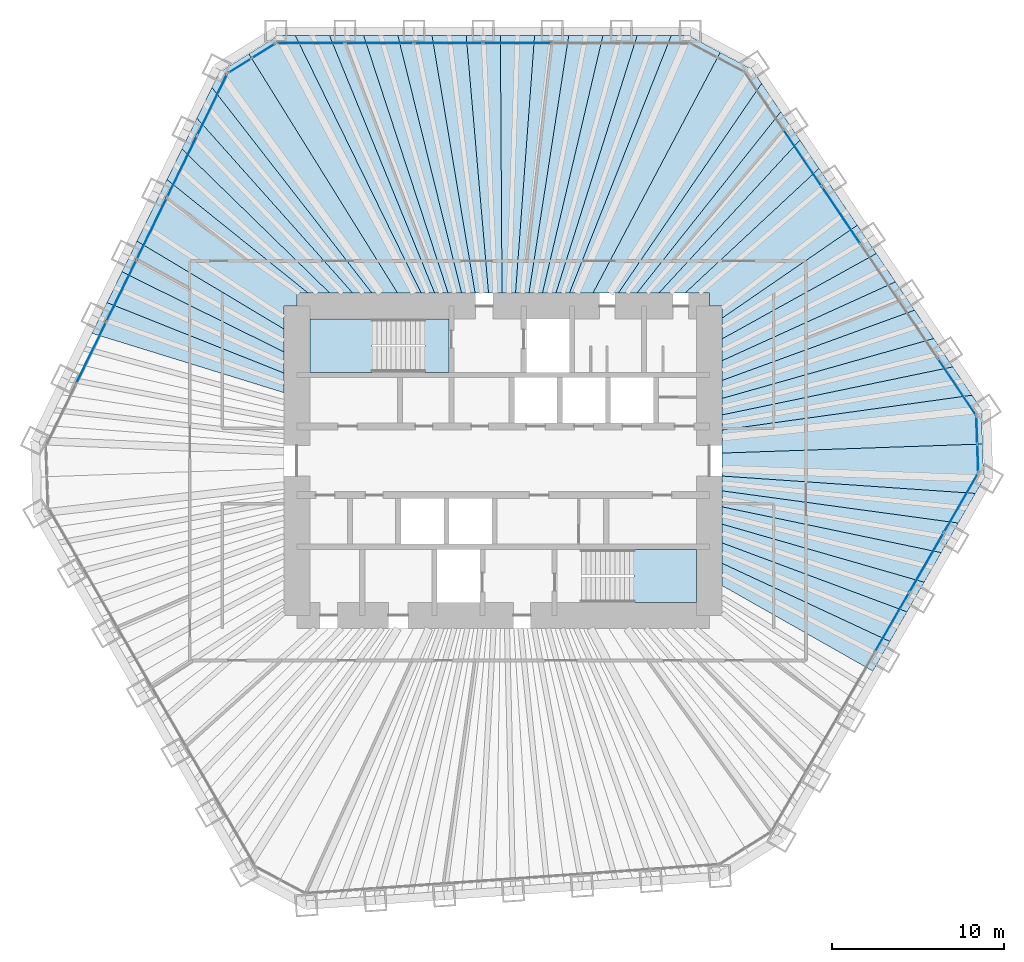
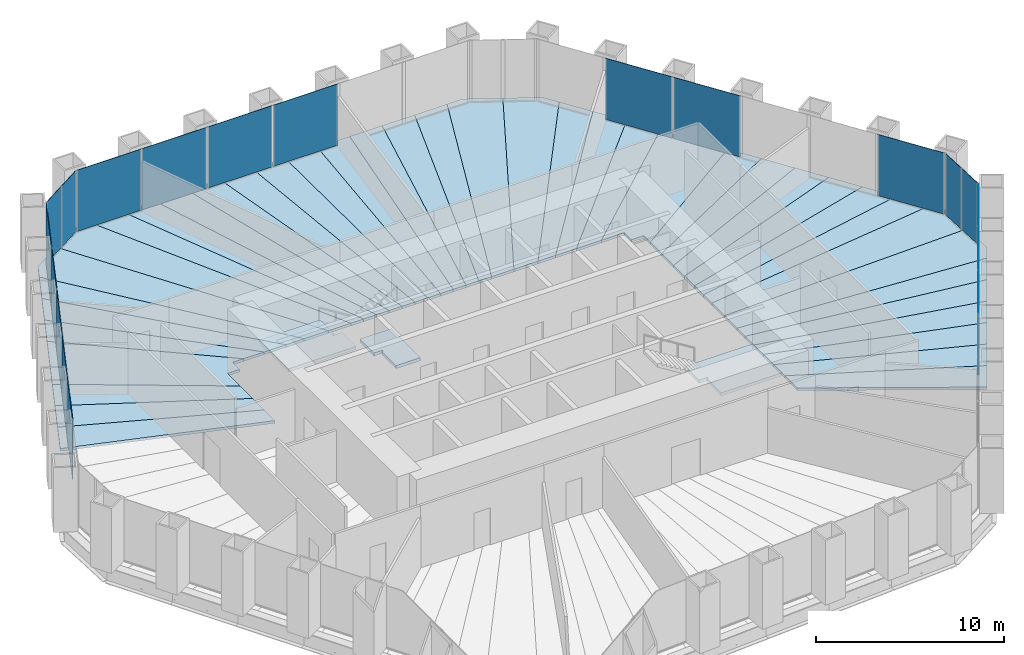
# One storey, part 9 of 13: 43 slabs, 19 plates, 8 elements without a shape of their own.
"""IFC4 building model written with IfcOpenShell, lengths in metres."""

from ifc_helpers import new_model, si_unit, direction, frame, origin, origin_2d, place, context, subcontext, project, spatial, polyline, rectangle, outline, extrude, material, layer, layer_set, type_object, element, aggregate, save


model = new_model("IFC4")

# Units and contexts
model_context = context("Model", 3, precision=1e-05, world=origin(), true_north=direction((0.0, 1.0)))
body_context = subcontext(model_context, "Body", "Model", "MODEL_VIEW")
ifc_project = project(units=[si_unit("LENGTHUNIT", "METRE"), si_unit("AREAUNIT", "SQUARE_METRE"), si_unit("VOLUMEUNIT", "CUBIC_METRE"), si_unit("PLANEANGLEUNIT", "RADIAN"), si_unit("MASSUNIT", "GRAM", prefix="KILO")], contexts=[model_context])

# Site, building, storey
site_placement = place(None, origin())
site = spatial("IfcSite", under=ifc_project, at=site_placement, CompositionType="ELEMENT")
building_placement = place(site_placement, origin())
building = spatial("IfcBuilding", under=site, at=building_placement, Name="Qingtian Harvest Tower", CompositionType="ELEMENT")
storey_placement = place(building_placement, frame((0.0, 0.0, 161.800048828125)))
storey = spatial("IfcBuildingStorey", under=building, at=storey_placement, Name="L34", CompositionType="ELEMENT", Elevation=161.800048828125)

# Slabs
ifc_material_1 = material(Name="Concrete fc' 35 MPa", Category="concrete")
ifc_layer_1 = layer(ifc_material_1, 0.169921875)
ifc_layer_set_1 = layer_set([ifc_layer_1], Name="Composite floor slab FS17 170")
slab_type_1 = type_object("IfcSlabType", Name="Composite floor slab FS17 170", PredefinedType="FLOOR", material=ifc_layer_set_1)
slab_1_placement = place(storey_placement, frame((0.0, 0.0, -0.170166015625)))
element("IfcSlab", 1, at=slab_1_placement, inside=storey, type_object=slab_type_1, Name="Floor slab L34 panel D33", PredefinedType="FLOOR", context=body_context, shape_type="SweptSolid", body=[
    extrude(outline(polyline([(12.75, -5.97021484375), (22.51220703125, -10.517578125), (21.517333984375, -12.24072265625), (12.75, -7.268798828125), (12.75, -5.97021484375)])), origin(), (0.0, 0.0, 1.0), 0.170166015625),
])
slab_2_placement = place(storey_placement, frame((0.0, 0.0, -0.170166015625)))
element("IfcSlab", 2, at=slab_2_placement, inside=storey, type_object=slab_type_1, Name="Floor slab L34 panel D34", PredefinedType="FLOOR", context=body_context, shape_type="SweptSolid", body=[
    extrude(outline(polyline([(12.75, -4.78173828125), (23.50732421875, -8.794189453125), (22.51220703125, -10.517578125), (12.75, -5.97021484375), (12.75, -4.78173828125)])), origin(), (0.0, 0.0, 1.0), 0.170166015625),
])
slab_3_placement = place(storey_placement, frame((0.0, 0.0, -0.170166015625)))
element("IfcSlab", 3, at=slab_3_placement, inside=storey, type_object=slab_type_1, Name="Floor slab L34 panel D35", PredefinedType="FLOOR", context=body_context, shape_type="SweptSolid", body=[
    extrude(outline(polyline([(12.75, -3.68994140625), (24.502197265625, -7.071044921875), (23.50732421875, -8.794189453125), (12.75, -4.78173828125), (12.75, -3.68994140625)])), origin(), (0.0, 0.0, 1.0), 0.170166015625),
])
slab_4_placement = place(storey_placement, frame((0.0, 0.0, -0.170166015625)))
element("IfcSlab", 4, at=slab_4_placement, inside=storey, type_object=slab_type_1, Name="Floor slab L34 panel D36", PredefinedType="FLOOR", context=body_context, shape_type="SweptSolid", body=[
    extrude(outline(polyline([(12.75, -2.683349609375), (25.4970703125, -5.34765625), (24.502197265625, -7.071044921875), (12.75, -3.68994140625), (12.75, -2.683349609375)])), origin(), (0.0, 0.0, 1.0), 0.170166015625),
])
slab_5_placement = place(storey_placement, frame((0.0, 0.0, -0.170166015625)))
element("IfcSlab", 5, at=slab_5_placement, inside=storey, type_object=slab_type_1, Name="Floor slab L34 panel D37", PredefinedType="FLOOR", context=body_context, shape_type="SweptSolid", body=[
    extrude(outline(polyline([(12.75, -1.752685546875), (26.4921875, -3.624267578125), (25.4970703125, -5.34765625), (12.75, -2.683349609375), (12.75, -1.752685546875)])), origin(), (0.0, 0.0, 1.0), 0.170166015625),
])
slab_6_placement = place(storey_placement, frame((0.0, 0.0, -0.170166015625)))
element("IfcSlab", 6, at=slab_6_placement, inside=storey, type_object=slab_type_1, Name="Floor slab L34 panel D38", PredefinedType="FLOOR", context=body_context, shape_type="SweptSolid", body=[
    extrude(outline(polyline([(12.75, -0.889404296875), (27.487060546875, -1.901123046875), (26.4921875, -3.624267578125), (12.75, -1.752685546875), (12.75, -0.889404296875)])), origin(), (0.0, 0.0, 1.0), 0.170166015625),
])
slab_7_placement = place(storey_placement, frame((0.0, 0.0, -0.170166015625)))
element("IfcSlab", 7, at=slab_7_placement, inside=storey, type_object=slab_type_1, Name="Floor slab L34 panel D39", PredefinedType="FLOOR", context=body_context, shape_type="SweptSolid", body=[
    extrude(outline(polyline([(12.75, -0.889404296875), (12.75, 0.447509765625), (27.90185546875, 0.974365234375), (27.972900390625, -1.059814453125), (27.487060546875, -1.901123046875), (12.75, -0.889404296875)])), origin(), (0.0, 0.0, 1.0), 0.170166015625),
])
slab_8_placement = place(storey_placement, frame((0.0, 0.0, -0.170166015625)))
element("IfcSlab", 8, at=slab_8_placement, inside=storey, type_object=slab_type_1, Name="Floor slab L34 panel D40", PredefinedType="FLOOR", context=body_context, shape_type="SweptSolid", body=[
    extrude(outline(polyline([(12.75, 0.447509765625), (12.75, 1.79052734375), (27.287353515625, 3.81396484375), (27.830810546875, 3.008544921875), (27.90185546875, 0.974365234375), (12.75, 0.447509765625)])), origin(), (0.0, 0.0, 1.0), 0.170166015625),
])
slab_9_placement = place(storey_placement, frame((0.0, 0.0, -0.170166015625)))
element("IfcSlab", 9, at=slab_9_placement, inside=storey, type_object=slab_type_1, Name="Floor slab L34 panel D41", PredefinedType="FLOOR", context=body_context, shape_type="SweptSolid", body=[
    extrude(outline(polyline([(12.75, 2.671142578125), (26.1748046875, 5.463623046875), (27.287353515625, 3.81396484375), (12.75, 1.79052734375), (12.75, 2.671142578125)])), origin(), (0.0, 0.0, 1.0), 0.170166015625),
])
slab_10_placement = place(storey_placement, frame((0.0, 0.0, -0.170166015625)))
element("IfcSlab", 10, at=slab_10_placement, inside=storey, type_object=slab_type_1, Name="Floor slab L34 panel D42", PredefinedType="FLOOR", context=body_context, shape_type="SweptSolid", body=[
    extrude(outline(polyline([(12.75, 3.6298828125), (25.06201171875, 7.11328125), (26.1748046875, 5.463623046875), (12.75, 2.671142578125), (12.75, 3.6298828125)])), origin(), (0.0, 0.0, 1.0), 0.170166015625),
])
slab_11_placement = place(storey_placement, frame((0.0, 0.0, -0.170166015625)))
element("IfcSlab", 11, at=slab_11_placement, inside=storey, type_object=slab_type_1, Name="Floor slab L34 panel D43", PredefinedType="FLOOR", context=body_context, shape_type="SweptSolid", body=[
    extrude(outline(polyline([(12.75, 4.677734375), (23.94921875, 8.762939453125), (25.06201171875, 7.11328125), (12.75, 3.6298828125), (12.75, 4.677734375)])), origin(), (0.0, 0.0, 1.0), 0.170166015625),
])
slab_12_placement = place(storey_placement, frame((0.0, 0.0, -0.170166015625)))
element("IfcSlab", 12, at=slab_12_placement, inside=storey, type_object=slab_type_1, Name="Floor slab L34 panel D44", PredefinedType="FLOOR", context=body_context, shape_type="SweptSolid", body=[
    extrude(outline(polyline([(12.75, 5.828125), (22.83642578125, 10.41259765625), (23.94921875, 8.762939453125), (12.75, 4.677734375), (12.75, 5.828125)])), origin(), (0.0, 0.0, 1.0), 0.170166015625),
])
slab_13_placement = place(storey_placement, frame((0.0, 0.0, -0.170166015625)))
element("IfcSlab", 13, at=slab_13_placement, inside=storey, type_object=slab_type_1, Name="Floor slab L34 panel D45", PredefinedType="FLOOR", context=body_context, shape_type="SweptSolid", body=[
    extrude(outline(polyline([(12.75, 7.096435546875), (21.723876953125, 12.062255859375), (22.83642578125, 10.41259765625), (12.75, 5.828125), (12.75, 7.096435546875)])), origin(), (0.0, 0.0, 1.0), 0.170166015625),
])
slab_14_placement = place(storey_placement, frame((0.0, 0.0, -0.170166015625)))
element("IfcSlab", 14, at=slab_14_placement, inside=storey, type_object=slab_type_1, Name="Floor slab L34 panel D46", PredefinedType="FLOOR", context=body_context, shape_type="SweptSolid", body=[
    extrude(outline(polyline([(12.75, 8.30615234375), (20.61328125, 13.708740234375), (21.723876953125, 12.062255859375), (12.75, 7.096435546875), (12.75, 8.30615234375)])), origin(), (0.0, 0.0, 1.0), 0.170166015625),
])
slab_15_placement = place(storey_placement, frame((0.0, 0.0, -0.170166015625)))
element("IfcSlab", 15, at=slab_15_placement, inside=storey, type_object=slab_type_1, Name="Floor slab L34 panel D48", PredefinedType="FLOOR", context=body_context, shape_type="SweptSolid", body=[
    extrude(outline(polyline([(18.38623046875, 17.010498046875), (20.61328125, 13.708740234375), (12.75, 8.30615234375), (12.75, 9.0), (12.0, 9.0), (12.0, 9.75), (10.578369140625, 9.75), (18.38623046875, 17.010498046875)])), origin(), (0.0, 0.0, 1.0), 0.170166015625),
])
slab_16_placement = place(storey_placement, frame((0.0, 0.0, -0.170166015625)))
element("IfcSlab", 16, at=slab_16_placement, inside=storey, type_object=slab_type_1, Name="Floor slab L34 panel D49", PredefinedType="FLOOR", context=body_context, shape_type="SweptSolid", body=[
    extrude(outline(polyline([(9.0556640625, 9.75), (17.2734375, 18.66015625), (18.38623046875, 17.010498046875), (10.578369140625, 9.75), (9.0556640625, 9.75)])), origin(), (0.0, 0.0, 1.0), 0.170166015625),
])
slab_17_placement = place(storey_placement, frame((0.0, 0.0, -0.170166015625)))
element("IfcSlab", 17, at=slab_17_placement, inside=storey, type_object=slab_type_1, Name="Floor slab L34 panel D50", PredefinedType="FLOOR", context=body_context, shape_type="SweptSolid", body=[
    extrude(outline(polyline([(7.781494140625, 9.75), (16.16064453125, 20.31005859375), (17.2734375, 18.66015625), (9.0556640625, 9.75), (7.781494140625, 9.75)])), origin(), (0.0, 0.0, 1.0), 0.170166015625),
])
slab_18_placement = place(storey_placement, frame((0.0, 0.0, -0.170166015625)))
element("IfcSlab", 18, at=slab_18_placement, inside=storey, type_object=slab_type_1, Name="Floor slab L34 panel D51", PredefinedType="FLOOR", context=body_context, shape_type="SweptSolid", body=[
    extrude(outline(polyline([(6.69970703125, 9.75), (15.0478515625, 21.959716796875), (16.16064453125, 20.31005859375), (7.781494140625, 9.75), (6.69970703125, 9.75)])), origin(), (0.0, 0.0, 1.0), 0.170166015625),
])
slab_19_placement = place(storey_placement, frame((0.0, 0.0, -0.170166015625)))
element("IfcSlab", 19, at=slab_19_placement, inside=storey, type_object=slab_type_1, Name="Floor slab L34 panel D52", PredefinedType="FLOOR", context=body_context, shape_type="SweptSolid", body=[
    extrude(outline(polyline([(6.69970703125, 9.75), (5.224609375, 9.75), (12.634033203125, 23.759765625), (14.504638671875, 22.765380859375), (15.0478515625, 21.959716796875), (6.69970703125, 9.75)])), origin(), (0.0, 0.0, 1.0), 0.170166015625),
])
slab_20_placement = place(storey_placement, frame((0.0, 0.0, -0.170166015625)))
element("IfcSlab", 20, at=slab_20_placement, inside=storey, type_object=slab_type_1, Name="Floor slab L34 panel D53", PredefinedType="FLOOR", context=body_context, shape_type="SweptSolid", body=[
    extrude(outline(polyline([(3.856201171875, 9.75), (9.791015625, 24.7548828125), (10.762451171875, 24.7548828125), (12.634033203125, 23.759765625), (5.224609375, 9.75), (3.856201171875, 9.75)])), origin(), (0.0, 0.0, 1.0), 0.170166015625),
])
slab_21_placement = place(storey_placement, frame((0.0, 0.0, -0.170166015625)))
element("IfcSlab", 21, at=slab_21_placement, inside=storey, type_object=slab_type_1, Name="Floor slab L34 panel D54", PredefinedType="FLOOR", context=body_context, shape_type="SweptSolid", body=[
    extrude(outline(polyline([(3.072509765625, 9.75), (7.80126953125, 24.7548828125), (9.791015625, 24.7548828125), (3.856201171875, 9.75), (3.072509765625, 9.75)])), origin(), (0.0, 0.0, 1.0), 0.170166015625),
])
slab_22_placement = place(storey_placement, frame((0.0, 0.0, -0.170166015625)))
element("IfcSlab", 22, at=slab_22_placement, inside=storey, type_object=slab_type_1, Name="Floor slab L34 panel D55", PredefinedType="FLOOR", context=body_context, shape_type="SweptSolid", body=[
    extrude(outline(polyline([(2.288818359375, 9.75), (5.811279296875, 24.7548828125), (7.80126953125, 24.7548828125), (3.072509765625, 9.75), (2.288818359375, 9.75)])), origin(), (0.0, 0.0, 1.0), 0.170166015625),
])
slab_23_placement = place(storey_placement, frame((0.0, 0.0, -0.170166015625)))
element("IfcSlab", 23, at=slab_23_placement, inside=storey, type_object=slab_type_1, Name="Floor slab L34 panel D56", PredefinedType="FLOOR", context=body_context, shape_type="SweptSolid", body=[
    extrude(outline(polyline([(1.505126953125, 9.75), (3.821533203125, 24.7548828125), (5.811279296875, 24.7548828125), (2.288818359375, 9.75), (1.505126953125, 9.75)])), origin(), (0.0, 0.0, 1.0), 0.170166015625),
])
slab_24_placement = place(storey_placement, frame((0.0, 0.0, -0.170166015625)))
element("IfcSlab", 24, at=slab_24_placement, inside=storey, type_object=slab_type_1, Name="Floor slab L34 panel D57", PredefinedType="FLOOR", context=body_context, shape_type="SweptSolid", body=[
    extrude(outline(polyline([(0.721435546875, 9.75), (1.831787109375, 24.7548828125), (3.821533203125, 24.7548828125), (1.505126953125, 9.75), (0.721435546875, 9.75)])), origin(), (0.0, 0.0, 1.0), 0.170166015625),
])
slab_25_placement = place(storey_placement, frame((0.0, 0.0, -0.170166015625)))
element("IfcSlab", 25, at=slab_25_placement, inside=storey, type_object=slab_type_1, Name="Floor slab L34 panel D58", PredefinedType="FLOOR", context=body_context, shape_type="SweptSolid", body=[
    extrude(outline(polyline([(-0.062255859375, 9.75), (-0.158203125, 24.7548828125), (1.831787109375, 24.7548828125), (0.721435546875, 9.75), (-0.062255859375, 9.75)])), origin(), (0.0, 0.0, 1.0), 0.170166015625),
])
slab_26_placement = place(storey_placement, frame((0.0, 0.0, -0.170166015625)))
element("IfcSlab", 26, at=slab_26_placement, inside=storey, type_object=slab_type_1, Name="Floor slab L34 panel D59", PredefinedType="FLOOR", context=body_context, shape_type="SweptSolid", body=[
    extrude(outline(polyline([(-0.845947265625, 9.75), (-2.14794921875, 24.7548828125), (-0.158203125, 24.7548828125), (-0.062255859375, 9.75), (-0.845947265625, 9.75)])), origin(), (0.0, 0.0, 1.0), 0.170166015625),
])
slab_27_placement = place(storey_placement, frame((0.0, 0.0, -0.170166015625)))
element("IfcSlab", 27, at=slab_27_placement, inside=storey, type_object=slab_type_1, Name="Floor slab L34 panel D60", PredefinedType="FLOOR", context=body_context, shape_type="SweptSolid", body=[
    extrude(outline(polyline([(-1.629638671875, 9.75), (-4.137939453125, 24.7548828125), (-2.14794921875, 24.7548828125), (-0.845947265625, 9.75), (-1.629638671875, 9.75)])), origin(), (0.0, 0.0, 1.0), 0.170166015625),
])
slab_28_placement = place(storey_placement, frame((0.0, 0.0, -0.170166015625)))
element("IfcSlab", 28, at=slab_28_placement, inside=storey, type_object=slab_type_1, Name="Floor slab L34 panel D61", PredefinedType="FLOOR", context=body_context, shape_type="SweptSolid", body=[
    extrude(outline(polyline([(-2.41357421875, 9.75), (-6.127685546875, 24.7548828125), (-4.137939453125, 24.7548828125), (-1.629638671875, 9.75), (-2.41357421875, 9.75)])), origin(), (0.0, 0.0, 1.0), 0.170166015625),
])
slab_29_placement = place(storey_placement, frame((0.0, 0.0, -0.170166015625)))
element("IfcSlab", 29, at=slab_29_placement, inside=storey, type_object=slab_type_1, Name="Floor slab L34 panel D62", PredefinedType="FLOOR", context=body_context, shape_type="SweptSolid", body=[
    extrude(outline(polyline([(-3.197265625, 9.75), (-8.117431640625, 24.7548828125), (-6.127685546875, 24.7548828125), (-2.41357421875, 9.75), (-3.197265625, 9.75)])), origin(), (0.0, 0.0, 1.0), 0.170166015625),
])
slab_30_placement = place(storey_placement, frame((0.0, 0.0, -0.170166015625)))
element("IfcSlab", 30, at=slab_30_placement, inside=storey, type_object=slab_type_1, Name="Floor slab L34 panel D63", PredefinedType="FLOOR", context=body_context, shape_type="SweptSolid", body=[
    extrude(outline(polyline([(-3.98095703125, 9.75), (-10.107421875, 24.7548828125), (-8.117431640625, 24.7548828125), (-3.197265625, 9.75), (-3.98095703125, 9.75)])), origin(), (0.0, 0.0, 1.0), 0.170166015625),
])
slab_31_placement = place(storey_placement, frame((0.0, 0.0, -0.170166015625)))
element("IfcSlab", 31, at=slab_31_placement, inside=storey, type_object=slab_type_1, Name="Floor slab L34 panel D64", PredefinedType="FLOOR", context=body_context, shape_type="SweptSolid", body=[
    extrude(outline(polyline([(-4.7646484375, 9.75), (-12.09716796875, 24.7548828125), (-10.107421875, 24.7548828125), (-3.98095703125, 9.75), (-4.7646484375, 9.75)])), origin(), (0.0, 0.0, 1.0), 0.170166015625),
])
slab_32_placement = place(storey_placement, frame((0.0, 0.0, -0.170166015625)))
element("IfcSlab", 32, at=slab_32_placement, inside=storey, type_object=slab_type_1, Name="Floor slab L34 panel D65", PredefinedType="FLOOR", context=body_context, shape_type="SweptSolid", body=[
    extrude(outline(polyline([(-4.7646484375, 9.75), (-6.13671875, 9.75), (-14.795166015625, 23.676025390625), (-13.068603515625, 24.7548828125), (-12.09716796875, 24.7548828125), (-4.7646484375, 9.75)])), origin(), (0.0, 0.0, 1.0), 0.170166015625),
])
slab_33_placement = place(storey_placement, frame((0.0, 0.0, -0.170166015625)))
element("IfcSlab", 33, at=slab_33_placement, inside=storey, type_object=slab_type_1, Name="Floor slab L34 panel D66", PredefinedType="FLOOR", context=body_context, shape_type="SweptSolid", body=[
    extrude(outline(polyline([(-6.13671875, 9.75), (-7.62646484375, 9.75), (-16.94677734375, 21.724609375), (-16.520751953125, 22.597900390625), (-14.795166015625, 23.676025390625), (-6.13671875, 9.75)])), origin(), (0.0, 0.0, 1.0), 0.170166015625),
])
slab_34_placement = place(storey_placement, frame((0.0, 0.0, -0.170166015625)))
element("IfcSlab", 34, at=slab_34_placement, inside=storey, type_object=slab_type_1, Name="Floor slab L34 panel D67", PredefinedType="FLOOR", context=body_context, shape_type="SweptSolid", body=[
    extrude(outline(polyline([(-8.74169921875, 9.75), (-17.819091796875, 19.93603515625), (-16.94677734375, 21.724609375), (-7.62646484375, 9.75), (-8.74169921875, 9.75)])), origin(), (0.0, 0.0, 1.0), 0.170166015625),
])
slab_35_placement = place(storey_placement, frame((0.0, 0.0, -0.170166015625)))
element("IfcSlab", 35, at=slab_35_placement, inside=storey, type_object=slab_type_1, Name="Floor slab L34 panel D68", PredefinedType="FLOOR", context=body_context, shape_type="SweptSolid", body=[
    extrude(outline(polyline([(-10.077880859375, 9.75), (-18.69140625, 18.1474609375), (-17.819091796875, 19.93603515625), (-8.74169921875, 9.75), (-10.077880859375, 9.75)])), origin(), (0.0, 0.0, 1.0), 0.170166015625),
])
slab_36_placement = place(storey_placement, frame((0.0, 0.0, -0.170166015625)))
element("IfcSlab", 36, at=slab_36_placement, inside=storey, type_object=slab_type_1, Name="Floor slab L34 panel D69", PredefinedType="FLOOR", context=body_context, shape_type="SweptSolid", body=[
    extrude(outline(polyline([(-11.329345703125, 9.75), (-19.561279296875, 16.364013671875), (-18.69140625, 18.1474609375), (-10.077880859375, 9.75), (-11.329345703125, 9.75)])), origin(), (0.0, 0.0, 1.0), 0.170166015625),
])
slab_37_placement = place(storey_placement, frame((0.0, 0.0, -0.170166015625)))
element("IfcSlab", 37, at=slab_37_placement, inside=storey, type_object=slab_type_1, Name="Floor slab L34 panel D70", PredefinedType="FLOOR", context=body_context, shape_type="SweptSolid", body=[
    extrude(outline(polyline([(-12.0, 9.0), (-12.75, 9.0), (-12.75, 7.662841796875), (-21.307861328125, 12.78271484375), (-19.561279296875, 16.364013671875), (-11.329345703125, 9.75), (-12.0, 9.75), (-12.0, 9.0)])), origin(), (0.0, 0.0, 1.0), 0.170166015625),
])
slab_38_placement = place(storey_placement, frame((0.0, 0.0, -0.170166015625)))
element("IfcSlab", 38, at=slab_38_placement, inside=storey, type_object=slab_type_1, Name="Floor slab L34 panel D72", PredefinedType="FLOOR", context=body_context, shape_type="SweptSolid", body=[
    extrude(outline(polyline([(-12.75, 6.332275390625), (-22.18017578125, 10.994384765625), (-21.307861328125, 12.78271484375), (-12.75, 7.662841796875), (-12.75, 6.332275390625)])), origin(), (0.0, 0.0, 1.0), 0.170166015625),
])
slab_39_placement = place(storey_placement, frame((0.0, 0.0, -0.170166015625)))
element("IfcSlab", 39, at=slab_39_placement, inside=storey, type_object=slab_type_1, Name="Floor slab L34 panel D73", PredefinedType="FLOOR", context=body_context, shape_type="SweptSolid", body=[
    extrude(outline(polyline([(-12.75, 5.1025390625), (-23.052490234375, 9.205810546875), (-22.18017578125, 10.994384765625), (-12.75, 6.332275390625), (-12.75, 5.1025390625)])), origin(), (0.0, 0.0, 1.0), 0.170166015625),
])
slab_40_placement = place(storey_placement, frame((0.0, 0.0, -0.170166015625)))
element("IfcSlab", 40, at=slab_40_placement, inside=storey, type_object=slab_type_1, Name="Floor slab L34 panel D74", PredefinedType="FLOOR", context=body_context, shape_type="SweptSolid", body=[
    extrude(outline(polyline([(-12.75, 3.962646484375), (-23.9248046875, 7.417236328125), (-23.052490234375, 9.205810546875), (-12.75, 5.1025390625), (-12.75, 3.962646484375)])), origin(), (0.0, 0.0, 1.0), 0.170166015625),
])

# Curtain wall, plates
ifc_material_2 = material(Name="Bronze-anodised aluminium curtain wall", Category="aluminium")
curtain_wall_type = type_object("IfcCurtainWallType", Name="Curtain wall CW4 office", PredefinedType="USERDEFINED", material=ifc_material_2)
curtain_wall_1_placement = place(storey_placement, origin())
curtain_wall_1 = element("IfcCurtainWall", 41, at=curtain_wall_1_placement, inside=storey, type_object=curtain_wall_type, Name="Curtain wall CW4 L34 N0-5", ObjectType="RECESSED CURTAIN WALL", PredefinedType="USERDEFINED")
ifc_material_3 = material(Name="Bronze-tinted laminated insulating glass", Category="glass")
ifc_layer_2 = layer(ifc_material_3, 0.030029296875)
ifc_layer_set_2 = layer_set([ifc_layer_2], Name="Glazed panel CWP tinted IGU")
plate_type = type_object("IfcPlateType", Name="Glazed panel CWP tinted IGU", PredefinedType="CURTAIN_PANEL", material=ifc_layer_set_2)
plate_1_placement = place(storey_placement, frame((-11.196044921875, 24.300048828125, 0.06494140625), z_axis=(0.0, 0.0, 1.0), x_axis=(1.0, 0.0, 0.0)))
plate_1 = element("IfcPlate", 42, at=plate_1_placement, type_object=plate_type, Name="CW4 panel 1.1", PredefinedType="CURTAIN_PANEL", context=body_context, shape_type="SweptSolid", body=[
    extrude(rectangle(XDim=3.921630859375, YDim=0.030029296875, at=origin_2d()), origin(), (0.0, 0.0, 1.0), 3.965087890625),
])
plate_2_placement = place(storey_placement, frame((-7.193115234375, 24.300048828125, 0.06494140625), z_axis=(0.0, 0.0, 1.0), x_axis=(1.0, 0.0, 0.0)))
plate_2 = element("IfcPlate", 43, at=plate_2_placement, type_object=plate_type, Name="CW4 panel 2.1", PredefinedType="CURTAIN_PANEL", context=body_context, shape_type="SweptSolid", body=[
    extrude(rectangle(XDim=3.9541015625, YDim=0.030029296875, at=origin_2d()), origin(), (0.0, 0.0, 1.0), 3.965087890625),
])
plate_3_placement = place(storey_placement, frame((-3.174072265625, 24.300048828125, 0.06494140625), z_axis=(0.0, 0.0, 1.0), x_axis=(1.0, 0.0, 0.0)))
plate_3 = element("IfcPlate", 44, at=plate_3_placement, type_object=plate_type, Name="CW4 panel 3.1", PredefinedType="CURTAIN_PANEL", context=body_context, shape_type="SweptSolid", body=[
    extrude(rectangle(XDim=3.9541015625, YDim=0.030029296875, at=origin_2d()), origin(), (0.0, 0.0, 1.0), 3.965087890625),
])
plate_4_placement = place(storey_placement, frame((0.844970703125, 24.300048828125, 0.06494140625), z_axis=(0.0, 0.0, 1.0), x_axis=(1.0, 0.0, 0.0)))
plate_4 = element("IfcPlate", 45, at=plate_4_placement, type_object=plate_type, Name="CW4 panel 4.1", PredefinedType="CURTAIN_PANEL", context=body_context, shape_type="SweptSolid", body=[
    extrude(rectangle(XDim=3.9541015625, YDim=0.030029296875, at=origin_2d()), origin(), (0.0, 0.0, 1.0), 3.965087890625),
])
aggregate(curtain_wall_1, [plate_1, plate_2, plate_3, plate_4])

curtain_wall_2_placement = place(storey_placement, origin())
curtain_wall_2 = element("IfcCurtainWall", 46, at=curtain_wall_2_placement, inside=storey, type_object=curtain_wall_type, Name="Curtain wall CW4 L34 NE0-5", ObjectType="RECESSED CURTAIN WALL", PredefinedType="USERDEFINED")
plate_5_placement = place(storey_placement, frame((17.425537109375, 17.620849609375, 0.06494140625), z_axis=(0.0, 0.0, 1.0), x_axis=(0.559192903471, -0.829037572555, 0.0)))
plate_5 = element("IfcPlate", 47, at=plate_5_placement, type_object=plate_type, Name="CW4 panel 2.1", PredefinedType="CURTAIN_PANEL", context=body_context, shape_type="SweptSolid", body=[
    extrude(rectangle(XDim=3.9541015625, YDim=0.030029296875, at=origin_2d()), origin(), (0.0, 0.0, 1.0), 3.965087890625),
])
plate_6_placement = place(storey_placement, frame((19.673095703125, 14.2890625, 0.06494140625), z_axis=(0.0, 0.0, 1.0), x_axis=(0.559192903471, -0.829037572555, 0.0)))
plate_6 = element("IfcPlate", 48, at=plate_6_placement, type_object=plate_type, Name="CW4 panel 3.1", PredefinedType="CURTAIN_PANEL", context=body_context, shape_type="SweptSolid", body=[
    extrude(rectangle(XDim=3.9541015625, YDim=0.030029296875, at=origin_2d()), origin(), (0.0, 0.0, 1.0), 3.965087890625),
])
plate_7_placement = place(storey_placement, frame((26.40625, 4.306640625, 0.06494140625), z_axis=(0.0, 0.0, 1.0), x_axis=(0.559192903471, -0.829037572555, 0.0)))
plate_7 = element("IfcPlate", 49, at=plate_7_placement, type_object=plate_type, Name="CW4 panel 6.1", PredefinedType="CURTAIN_PANEL", context=body_context, shape_type="SweptSolid", body=[
    extrude(rectangle(XDim=3.921630859375, YDim=0.030029296875, at=origin_2d()), origin(), (0.0, 0.0, 1.0), 3.965087890625),
])
aggregate(curtain_wall_2, [plate_5, plate_6, plate_7])

curtain_wall_3_placement = place(storey_placement, origin())
curtain_wall_3 = element("IfcCurtainWall", 50, at=curtain_wall_3_placement, inside=storey, type_object=curtain_wall_type, Name="Curtain wall CW4 L34 NEC", ObjectType="RECESSED CURTAIN WALL", PredefinedType="USERDEFINED")
plate_8_placement = place(storey_placement, frame((27.568603515625, 1.779052734375, 0.06494140625), z_axis=(0.0, 0.0, 1.0), x_axis=(0.034899496703, -0.999390827019, 0.0)))
plate_8 = element("IfcPlate", 51, at=plate_8_placement, type_object=plate_type, Name="CW4 panel 1.1", PredefinedType="CURTAIN_PANEL", context=body_context, shape_type="SweptSolid", body=[
    extrude(rectangle(XDim=1.56689453125, YDim=0.030029296875, at=origin_2d()), origin(), (0.0, 0.0, 1.0), 3.965087890625),
])
plate_9_placement = place(storey_placement, frame((27.625732421875, 0.148193359375, 0.06494140625), z_axis=(0.0, 0.0, 1.0), x_axis=(0.034899496703, -0.999390827019, 0.0)))
plate_9 = element("IfcPlate", 52, at=plate_9_placement, type_object=plate_type, Name="CW4 panel 2.1", PredefinedType="CURTAIN_PANEL", context=body_context, shape_type="SweptSolid", body=[
    extrude(rectangle(XDim=1.56689453125, YDim=0.030029296875, at=origin_2d()), origin(), (0.0, 0.0, 1.0), 3.965087890625),
])
aggregate(curtain_wall_3, [plate_8, plate_9])

curtain_wall_4_placement = place(storey_placement, origin())
curtain_wall_4 = element("IfcCurtainWall", 53, at=curtain_wall_4_placement, inside=storey, type_object=curtain_wall_type, Name="Curtain wall CW4 L34 SE0-5", ObjectType="RECESSED CURTAIN WALL", PredefinedType="USERDEFINED")
plate_10_placement = place(storey_placement, frame((26.642333984375, -2.4541015625, 0.06494140625), z_axis=(0.0, 0.0, 1.0), x_axis=(-0.5, -0.866025403784, 0.0)))
plate_10 = element("IfcPlate", 54, at=plate_10_placement, type_object=plate_type, Name="CW4 panel 1.1", PredefinedType="CURTAIN_PANEL", context=body_context, shape_type="SweptSolid", body=[
    extrude(rectangle(XDim=3.921630859375, YDim=0.030029296875, at=origin_2d()), origin(), (0.0, 0.0, 1.0), 3.965087890625),
])
plate_11_placement = place(storey_placement, frame((24.640869140625, -5.920654296875, 0.06494140625), z_axis=(0.0, 0.0, 1.0), x_axis=(-0.5, -0.866025403784, 0.0)))
plate_11 = element("IfcPlate", 55, at=plate_11_placement, type_object=plate_type, Name="CW4 panel 2.1", PredefinedType="CURTAIN_PANEL", context=body_context, shape_type="SweptSolid", body=[
    extrude(rectangle(XDim=3.9541015625, YDim=0.030029296875, at=origin_2d()), origin(), (0.0, 0.0, 1.0), 3.965087890625),
])
plate_12_placement = place(storey_placement, frame((22.63134765625, -9.401123046875, 0.06494140625), z_axis=(0.0, 0.0, 1.0), x_axis=(-0.5, -0.866025403784, 0.0)))
plate_12 = element("IfcPlate", 56, at=plate_12_placement, type_object=plate_type, Name="CW4 panel 3.1", PredefinedType="CURTAIN_PANEL", context=body_context, shape_type="SweptSolid", body=[
    extrude(rectangle(XDim=3.9541015625, YDim=0.030029296875, at=origin_2d()), origin(), (0.0, 0.0, 1.0), 3.965087890625),
])
aggregate(curtain_wall_4, [plate_10, plate_11, plate_12])

curtain_wall_5_placement = place(storey_placement, origin())
curtain_wall_5 = element("IfcCurtainWall", 57, at=curtain_wall_5_placement, inside=storey, type_object=curtain_wall_type, Name="Curtain wall CW4 L34 NW0-5", ObjectType="RECESSED CURTAIN WALL", PredefinedType="USERDEFINED")
plate_13_placement = place(storey_placement, frame((-23.972900390625, 6.280517578125, 0.06494140625), z_axis=(0.0, 0.0, 1.0), x_axis=(0.438371146789, 0.898794046299, 0.0)))
plate_13 = element("IfcPlate", 58, at=plate_13_placement, type_object=plate_type, Name="CW4 panel 2.1", PredefinedType="CURTAIN_PANEL", context=body_context, shape_type="SweptSolid", body=[
    extrude(rectangle(XDim=3.9541015625, YDim=0.030029296875, at=origin_2d()), origin(), (0.0, 0.0, 1.0), 3.965087890625),
])
plate_14_placement = place(storey_placement, frame((-22.211181640625, 9.892822265625, 0.06494140625), z_axis=(0.0, 0.0, 1.0), x_axis=(0.438371146789, 0.898794046299, 0.0)))
plate_14 = element("IfcPlate", 59, at=plate_14_placement, type_object=plate_type, Name="CW4 panel 3.1", PredefinedType="CURTAIN_PANEL", context=body_context, shape_type="SweptSolid", body=[
    extrude(rectangle(XDim=3.9541015625, YDim=0.030029296875, at=origin_2d()), origin(), (0.0, 0.0, 1.0), 3.965087890625),
])
plate_15_placement = place(storey_placement, frame((-20.44921875, 13.505126953125, 0.06494140625), z_axis=(0.0, 0.0, 1.0), x_axis=(0.438371146789, 0.898794046299, 0.0)))
plate_15 = element("IfcPlate", 60, at=plate_15_placement, type_object=plate_type, Name="CW4 panel 4.1", PredefinedType="CURTAIN_PANEL", context=body_context, shape_type="SweptSolid", body=[
    extrude(rectangle(XDim=3.9541015625, YDim=0.030029296875, at=origin_2d()), origin(), (0.0, 0.0, 1.0), 3.965087890625),
])
plate_16_placement = place(storey_placement, frame((-18.6875, 17.117431640625, 0.06494140625), z_axis=(0.0, 0.0, 1.0), x_axis=(0.438371146789, 0.898794046299, 0.0)))
plate_16 = element("IfcPlate", 61, at=plate_16_placement, type_object=plate_type, Name="CW4 panel 5.1", PredefinedType="CURTAIN_PANEL", context=body_context, shape_type="SweptSolid", body=[
    extrude(rectangle(XDim=3.9541015625, YDim=0.030029296875, at=origin_2d()), origin(), (0.0, 0.0, 1.0), 3.965087890625),
])
plate_17_placement = place(storey_placement, frame((-16.9326171875, 20.71533203125, 0.06494140625), z_axis=(0.0, 0.0, 1.0), x_axis=(0.438371146789, 0.898794046299, 0.0)))
plate_17 = element("IfcPlate", 62, at=plate_17_placement, type_object=plate_type, Name="CW4 panel 6.1", PredefinedType="CURTAIN_PANEL", context=body_context, shape_type="SweptSolid", body=[
    extrude(rectangle(XDim=3.921630859375, YDim=0.030029296875, at=origin_2d()), origin(), (0.0, 0.0, 1.0), 3.965087890625),
])
aggregate(curtain_wall_5, [plate_13, plate_14, plate_15, plate_16, plate_17])

curtain_wall_6_placement = place(storey_placement, origin())
curtain_wall_6 = element("IfcCurtainWall", 63, at=curtain_wall_6_placement, inside=storey, type_object=curtain_wall_type, Name="Curtain wall CW4 L34 NWC", ObjectType="RECESSED CURTAIN WALL", PredefinedType="USERDEFINED")
plate_18_placement = place(storey_placement, frame((-15.3251953125, 22.985595703125, 0.06494140625), z_axis=(0.0, 0.0, 1.0), x_axis=(0.848048096156, 0.529919264233, 0.0)))
plate_18 = element("IfcPlate", 64, at=plate_18_placement, type_object=plate_type, Name="CW4 panel 1.1", PredefinedType="CURTAIN_PANEL", context=body_context, shape_type="SweptSolid", body=[
    extrude(rectangle(XDim=1.56689453125, YDim=0.030029296875, at=origin_2d()), origin(), (0.0, 0.0, 1.0), 3.965087890625),
])
plate_19_placement = place(storey_placement, frame((-13.941162109375, 23.850341796875, 0.06494140625), z_axis=(0.0, 0.0, 1.0), x_axis=(0.848048096156, 0.529919264233, 0.0)))
plate_19 = element("IfcPlate", 65, at=plate_19_placement, type_object=plate_type, Name="CW4 panel 2.1", PredefinedType="CURTAIN_PANEL", context=body_context, shape_type="SweptSolid", body=[
    extrude(rectangle(XDim=1.56689453125, YDim=0.030029296875, at=origin_2d()), origin(), (0.0, 0.0, 1.0), 3.965087890625),
])
aggregate(curtain_wall_6, [plate_18, plate_19])

# Stair, slabs
ifc_material_4 = material(Name="Concrete fc' 35 MPa", Category="concrete")
stair_type = type_object("IfcStairType", Name="Special stair ST3 4200", PredefinedType="HALF_TURN_STAIR", material=ifc_material_4)
stair_1_placement = place(storey_placement, origin())
stair_1 = element("IfcStair", 66, at=stair_1_placement, inside=storey, type_object=stair_type, Name="Special stair S1 L34", PredefinedType="HALF_TURN_STAIR")
ifc_material_5 = material(Name="Concrete fc' 35 MPa", Category="concrete")
ifc_layer_3 = layer(ifc_material_5, 0.199951171875)
ifc_layer_set_3 = layer_set([ifc_layer_3], Name="Stair landing SL2 200")
slab_type_2 = type_object("IfcSlabType", Name="Stair landing SL2 200", PredefinedType="LANDING", material=ifc_layer_set_3)
slab_41_placement = place(storey_placement, frame((0.0, 0.0, -0.199951171875)))
slab_41 = element("IfcSlab", 67, at=slab_41_placement, type_object=slab_type_2, Name="S1 landing 1", PredefinedType="LANDING", context=body_context, shape_type="SweptSolid", body=[
    extrude(outline(polyline([(-4.64990234375, 5.14990234375), (-4.64990234375, 6.64990234375), (-4.550048828125, 6.64990234375), (-4.550048828125, 6.75), (-5.0849609375, 6.75), (-5.0849609375, 8.25), (-3.14990234375, 8.25), (-3.14990234375, 5.14990234375), (-4.64990234375, 5.14990234375)])), origin(), (0.0, 0.0, 1.0), 0.199951171875),
])
slab_42_placement = place(storey_placement, frame((0.0, 0.0, 1.89990234375)))
slab_42 = element("IfcSlab", 68, at=slab_42_placement, type_object=slab_type_2, Name="S1 landing 2", PredefinedType="LANDING", context=body_context, shape_type="SweptSolid", body=[
    extrude(outline(polyline([(-7.094970703125, 5.14990234375), (-11.25, 5.14990234375), (-11.25, 8.25), (-7.530029296875, 8.25), (-7.530029296875, 6.75), (-7.6298828125, 6.75), (-7.6298828125, 6.64990234375), (-7.094970703125, 6.64990234375), (-7.094970703125, 5.14990234375)])), origin(), (0.0, 0.0, 1.0), 0.199951171875),
])
aggregate(stair_1, [slab_41, slab_42])

# Stair, slab
stair_2_placement = place(storey_placement, origin())
stair_2 = element("IfcStair", 69, at=stair_2_placement, inside=storey, type_object=stair_type, Name="Special stair S2 L34", PredefinedType="HALF_TURN_STAIR")
slab_43_placement = place(storey_placement, frame((0.0, 0.0, 1.89990234375)))
slab_43 = element("IfcSlab", 70, at=slab_43_placement, type_object=slab_type_2, Name="S2 landing 2", PredefinedType="LANDING", context=body_context, shape_type="SweptSolid", body=[
    extrude(outline(polyline([(7.530029296875, -8.25), (7.530029296875, -6.75), (7.6298828125, -6.75), (7.6298828125, -6.64990234375), (7.094970703125, -6.64990234375), (7.094970703125, -5.14990234375), (11.25, -5.14990234375), (11.25, -8.25), (7.530029296875, -8.25)])), origin(), (0.0, 0.0, 1.0), 0.199951171875),
])
aggregate(stair_2, [slab_43])

save(model, "model.ifc")
